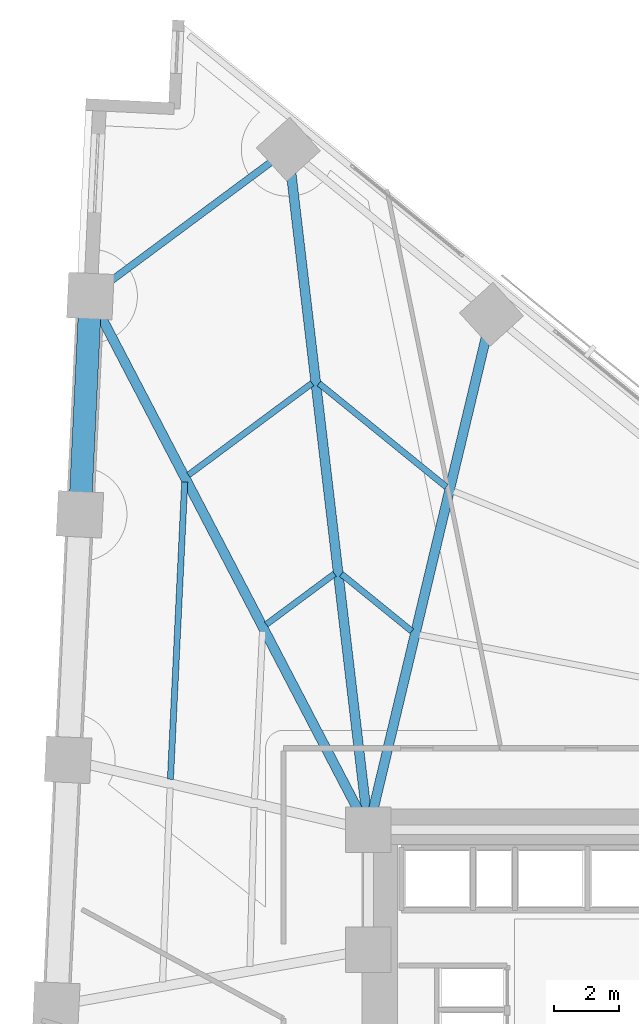
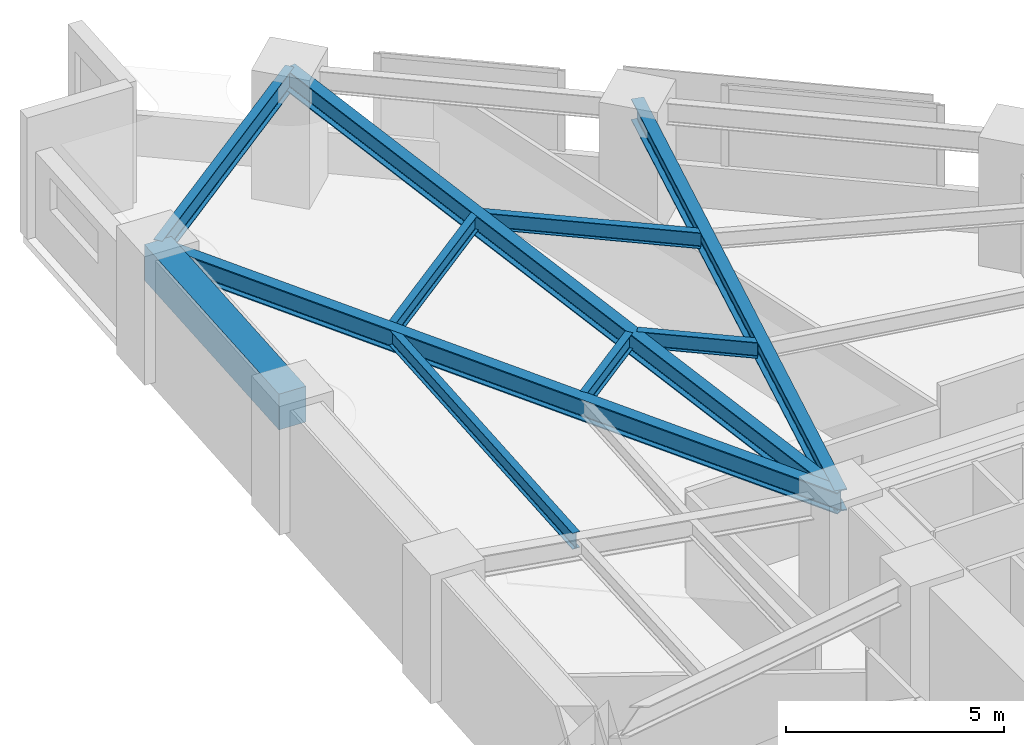
# One storey, part 8 of 17: 10 beams.
"""IFC4 building model written with IfcOpenShell, lengths in metres."""

from ifc_helpers import new_model, si_unit, direction, frame, origin, origin_2d, place, context, subcontext, project, spatial, rectangle, i_section, extrude, material, material_profile, profile_set, type_object, element, save


model = new_model("IFC4")

# Units and contexts
model_context = context("Model", 3, precision=1e-05, world=origin(), true_north=direction((0.0, 1.0)))
body_context = subcontext(model_context, "Body", "Model", "MODEL_VIEW")
ifc_project = project(units=[si_unit("LENGTHUNIT", "METRE"), si_unit("AREAUNIT", "SQUARE_METRE"), si_unit("VOLUMEUNIT", "CUBIC_METRE"), si_unit("PLANEANGLEUNIT", "RADIAN"), si_unit("MASSUNIT", "GRAM", prefix="KILO")], contexts=[model_context])

# Site, building, storey
site_placement = place(None, origin())
site = spatial("IfcSite", under=ifc_project, at=site_placement, CompositionType="ELEMENT")
building_placement = place(site_placement, origin())
building = spatial("IfcBuilding", under=site, at=building_placement, Name="Narakoshi Arena Tower", CompositionType="ELEMENT")
storey_placement = place(building_placement, frame((0.0, 0.0, 41.10009765625)))
storey = spatial("IfcBuildingStorey", under=building, at=storey_placement, Name="L10", CompositionType="ELEMENT", Elevation=41.10009765625)

# Beams
ifc_material_1 = material(Name="Concrete C60/75", Category="concrete")
ifc_material_profile_1 = material_profile(ifc_material_1, rectangle(XDim=0.699951171875, YDim=1.0, at=origin_2d()), Name="RCB700x1000")
ifc_profile_set_1 = profile_set([ifc_material_profile_1], Name="Concrete C60/75")
beam_type_1 = type_object("IfcBeamType", Name="BM-CPL-1000", PredefinedType="BEAM", material=ifc_profile_set_1)
beam_1_placement = place(storey_placement, frame((63.42822265625, 72.95654296875, 2.89990234375), z_axis=(-0.047987034988, -0.998847958637, 0.0), x_axis=(0.998847958637, -0.047987034988, 0.0)))
element("IfcBeam", 1, at=beam_1_placement, inside=storey, type_object=beam_type_1, Name="L10 Perimeter Edge Girder 13", PredefinedType="BEAM", context=body_context, shape_type="SweptSolid", body=[
    extrude(rectangle(XDim=0.699951171875, YDim=1.0, at=origin_2d()), origin(), (0.0, 0.0, 1.0), 6.736083984375),
])
ifc_material_2 = material(Name="Structural steel S355J2", Category="steel")
ifc_material_profile_2 = material_profile(ifc_material_2, i_section(OverallWidth=0.219970703125, OverallDepth=0.60009765625, WebThickness=0.011962890625, FlangeThickness=0.01904296875, FilletRadius=0.02392578125, at=origin_2d()), Name="IPE600")
ifc_profile_set_2 = profile_set([ifc_material_profile_2], Name="Structural steel S355J2")
beam_type_2 = type_object("IfcBeamType", Name="BM-EDGE-600", PredefinedType="BEAM", material=ifc_profile_set_2)
beam_2_placement = place(storey_placement, frame((69.531005859375, 77.483154296875, 3.099853515625), z_axis=(-0.80317737809, -0.595739959482, 0.0), x_axis=(0.595739959482, -0.80317737809, 0.0)))
element("IfcBeam", 2, at=beam_2_placement, inside=storey, type_object=beam_type_2, Name="L10 Perimeter Edge Girder 12", PredefinedType="BEAM", context=body_context, shape_type="SweptSolid", body=[
    extrude(i_section(OverallWidth=0.219970703125, OverallDepth=0.60009765625, WebThickness=0.011962890625, FlangeThickness=0.01904296875, FilletRadius=0.02392578125, at=origin_2d()), origin(), (0.0, 0.0, 1.0), 7.598388671875),
])
ifc_material_profile_3 = material_profile(ifc_material_2, i_section(OverallWidth=0.300048828125, OverallDepth=0.60009765625, WebThickness=0.015380859375, FlangeThickness=0.030029296875, FilletRadius=0.027099609375, at=origin_2d()), Name="HE600B")
ifc_profile_set_3 = profile_set([ifc_material_profile_3], Name="Structural steel S355J2")
beam_type_3 = type_object("IfcBeamType", Name="BM-PRI-600", PredefinedType="BEAM", material=ifc_profile_set_3)
beam_3_placement = place(storey_placement, frame((72.0, 56.5, 3.099853515625), z_axis=(0.23221708245, 0.972663984436, 0.0), x_axis=(-0.972663984436, 0.23221708245, 0.0)))
element("IfcBeam", 3, at=beam_3_placement, inside=storey, type_object=beam_type_3, Name="L10 Radial Primary Floor Girder 11", PredefinedType="BEAM", context=body_context, shape_type="SweptSolid", body=[
    extrude(i_section(OverallWidth=0.300048828125, OverallDepth=0.60009765625, WebThickness=0.015380859375, FlangeThickness=0.030029296875, FilletRadius=0.027099609375, at=origin_2d()), origin(), (0.0, 0.0, 1.0), 16.3388671875),
])
beam_4_placement = place(storey_placement, frame((72.0, 56.5, 3.099853515625), z_axis=(-0.11685934963, 0.993148474501, 0.0), x_axis=(-0.993148474501, -0.11685934963, 0.0)))
element("IfcBeam", 4, at=beam_4_placement, inside=storey, type_object=beam_type_3, Name="L10 Radial Primary Floor Girder 12", PredefinedType="BEAM", context=body_context, shape_type="SweptSolid", body=[
    extrude(i_section(OverallWidth=0.300048828125, OverallDepth=0.60009765625, WebThickness=0.015380859375, FlangeThickness=0.030029296875, FilletRadius=0.027099609375, at=origin_2d()), origin(), (0.0, 0.0, 1.0), 21.1279296875),
])
beam_5_placement = place(storey_placement, frame((72.0, 56.5, 3.099853515625), z_axis=(-0.461962449766, 0.886899484162, 0.0), x_axis=(-0.886899484162, -0.461962449766, 0.0)))
element("IfcBeam", 5, at=beam_5_placement, inside=storey, type_object=beam_type_3, Name="L10 Radial Primary Floor Girder 13", PredefinedType="BEAM", context=body_context, shape_type="SweptSolid", body=[
    extrude(i_section(OverallWidth=0.300048828125, OverallDepth=0.60009765625, WebThickness=0.015380859375, FlangeThickness=0.030029296875, FilletRadius=0.027099609375, at=origin_2d()), origin(), (0.0, 0.0, 1.0), 18.55517578125),
])
ifc_material_profile_4 = material_profile(ifc_material_2, i_section(OverallWidth=0.18994140625, OverallDepth=0.449951171875, WebThickness=0.009521484375, FlangeThickness=0.0146484375, FilletRadius=0.02099609375, at=origin_2d()), Name="IPE450")
ifc_profile_set_4 = profile_set([ifc_material_profile_4], Name="Structural steel S355J2")
beam_type_4 = type_object("IfcBeamType", Name="BM-SEC-450", PredefinedType="JOIST", material=ifc_profile_set_4)
beam_6_placement = place(storey_placement, frame((73.337158203125, 62.624267578125, 3.1748046875), z_axis=(-0.776025888879, 0.630701054216, 0.0), x_axis=(-0.630701054216, -0.776025888879, 0.0)))
element("IfcBeam", 6, at=beam_6_placement, inside=storey, type_object=beam_type_4, Name="L10 Composite Secondary Floor Joist 15", PredefinedType="JOIST", context=body_context, shape_type="SweptSolid", body=[
    extrude(i_section(OverallWidth=0.18994140625, OverallDepth=0.449951171875, WebThickness=0.009521484375, FlangeThickness=0.0146484375, FilletRadius=0.02099609375, at=origin_2d()), origin(), (0.0, 0.0, 1.0), 2.797119140625),
])
beam_7_placement = place(storey_placement, frame((74.3994140625, 67.07421875, 3.1748046875), z_axis=(-0.775998804772, 0.630734377526, 0.0), x_axis=(-0.630734377526, -0.775998804772, 0.0)))
element("IfcBeam", 7, at=beam_7_placement, inside=storey, type_object=beam_type_4, Name="L10 Composite Secondary Floor Joist 16", PredefinedType="JOIST", context=body_context, shape_type="SweptSolid", body=[
    extrude(i_section(OverallWidth=0.18994140625, OverallDepth=0.449951171875, WebThickness=0.009521484375, FlangeThickness=0.0146484375, FilletRadius=0.02099609375, at=origin_2d()), origin(), (0.0, 0.0, 1.0), 5.05712890625),
])
beam_8_placement = place(storey_placement, frame((70.953369140625, 64.393310546875, 3.1748046875), z_axis=(-0.803145542417, -0.595782877981, 0.0), x_axis=(0.595782877981, -0.803145542417, 0.0)))
element("IfcBeam", 8, at=beam_8_placement, inside=storey, type_object=beam_type_4, Name="L10 Composite Secondary Floor Joist 17", PredefinedType="JOIST", context=body_context, shape_type="SweptSolid", body=[
    extrude(i_section(OverallWidth=0.18994140625, OverallDepth=0.449951171875, WebThickness=0.009521484375, FlangeThickness=0.0146484375, FilletRadius=0.02099609375, at=origin_2d()), origin(), (0.0, 0.0, 1.0), 2.6171875),
])
beam_9_placement = place(storey_placement, frame((70.261962890625, 70.2685546875, 3.1748046875), z_axis=(-0.803168713444, -0.595751640992, 0.0), x_axis=(0.595751640992, -0.803168713444, 0.0)))
element("IfcBeam", 9, at=beam_9_placement, inside=storey, type_object=beam_type_4, Name="L10 Composite Secondary Floor Joist 18", PredefinedType="JOIST", context=body_context, shape_type="SweptSolid", body=[
    extrude(i_section(OverallWidth=0.18994140625, OverallDepth=0.449951171875, WebThickness=0.009521484375, FlangeThickness=0.0146484375, FilletRadius=0.02099609375, at=origin_2d()), origin(), (0.0, 0.0, 1.0), 4.74462890625),
])
beam_10_placement = place(storey_placement, frame((66.336181640625, 67.2265625, 3.1748046875), z_axis=(-0.047964546221, -0.998849038797, 0.0), x_axis=(0.998849038797, -0.047964546221, 0.0)))
element("IfcBeam", 10, at=beam_10_placement, inside=storey, type_object=beam_type_4, Name="L10 Composite Secondary Floor Joist 20", PredefinedType="JOIST", context=body_context, shape_type="SweptSolid", body=[
    extrude(i_section(OverallWidth=0.18994140625, OverallDepth=0.449951171875, WebThickness=0.009521484375, FlangeThickness=0.0146484375, FilletRadius=0.02099609375, at=origin_2d()), origin(), (0.0, 0.0, 1.0), 9.17724609375),
])

save(model, "model.ifc")
